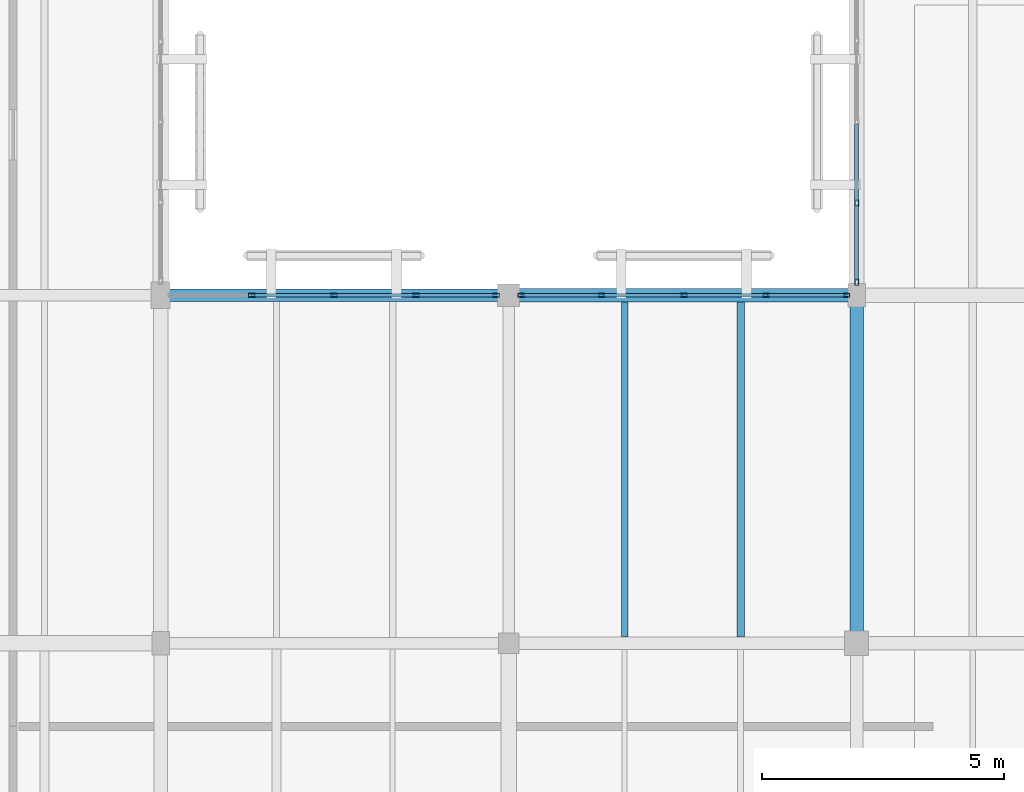
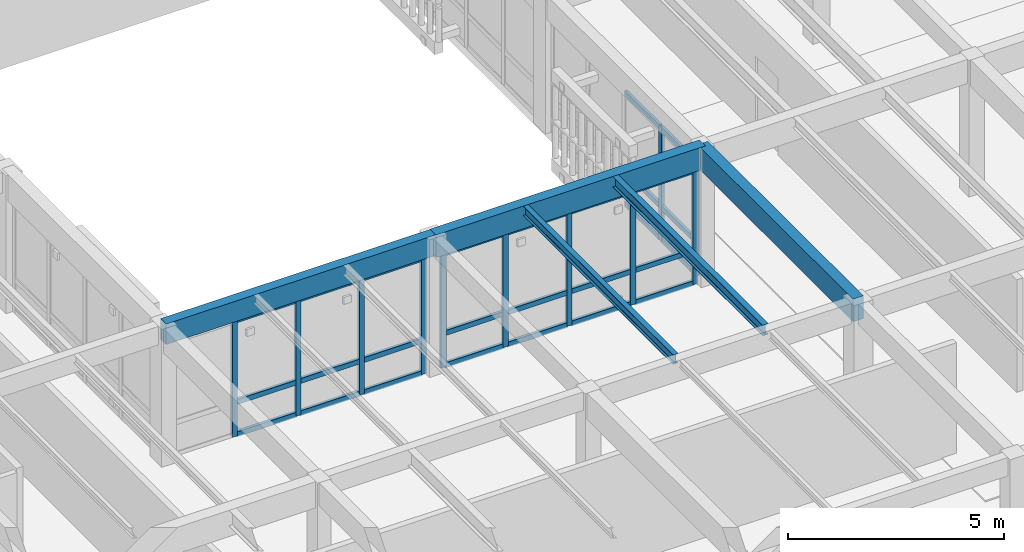
# One storey, part 27 of 217: 38 members, 5 beams, 3 elements without a shape of their own.
"""IFC4 building model written with IfcOpenShell, lengths in metres."""

from ifc_helpers import new_model, si_unit, direction, frame, origin, origin_2d, place, context, subcontext, project, spatial, rectangle, hollow_rectangle, i_section, extrude, material, layer, layer_set, material_profile, profile_set, type_object, element, aggregate, save


model = new_model("IFC4")

# Units and contexts
model_context = context("Model", 3, precision=1e-05, world=origin(), true_north=direction((0.0, 1.0)))
body_context = subcontext(model_context, "Body", "Model", "MODEL_VIEW")
ifc_project = project(units=[si_unit("LENGTHUNIT", "METRE"), si_unit("AREAUNIT", "SQUARE_METRE"), si_unit("VOLUMEUNIT", "CUBIC_METRE"), si_unit("PLANEANGLEUNIT", "RADIAN"), si_unit("MASSUNIT", "GRAM", prefix="KILO")], contexts=[model_context])

# Site, building, storey
site_placement = place(None, origin())
site = spatial("IfcSite", under=ifc_project, at=site_placement, CompositionType="ELEMENT")
building_placement = place(site_placement, origin())
building = spatial("IfcBuilding", under=site, at=building_placement, Name="Mazaris Harbour Polytechnic", CompositionType="ELEMENT")
storey_placement = place(building_placement, frame((0.0, 0.0, 9.60009765625)))
storey = spatial("IfcBuildingStorey", under=building, at=storey_placement, Name="L02", CompositionType="ELEMENT", Elevation=9.60009765625)

# Curtain wall, members
ifc_material_1 = material(Name="Anodised Bronze Aluminium and Low-E Glass", Category="aluminium")
ifc_layer = layer(ifc_material_1, 0.159912109375, Name="Anodised Bronze Aluminium and Low-E Glass")
ifc_layer_set = layer_set([ifc_layer], Name="Anodised Bronze Aluminium and Low-E Glass")
curtain_wall_type = type_object("IfcCurtainWallType", Name="Cloister Court Curtain Wall", PredefinedType="NOTDEFINED", material=ifc_layer_set)
curtain_wall_1_placement = place(storey_placement, origin())
curtain_wall_1 = element("IfcCurtainWall", 1, at=curtain_wall_1_placement, inside=storey, type_object=curtain_wall_type, Name="V4 L02 Curtain Wall 133", PredefinedType="NOTDEFINED")
ifc_material_2 = material(Name="Anodised Bronze Steel S355", Category="steel")
ifc_material_profile_1 = material_profile(ifc_material_2, hollow_rectangle(XDim=0.080078125, YDim=0.139892578125, WallThickness=0.00634765625, at=origin_2d()), Name="RHS 80x140x6.3")
ifc_profile_set_1 = profile_set([ifc_material_profile_1], Name="Anodised Bronze Steel S355")
member_type_1 = type_object("IfcMemberType", Name="Curtain Mullion RHS80x140", PredefinedType="MULLION", material=ifc_profile_set_1)
member_1_placement = place(storey_placement, frame((16.28857421875, 36.0, 0.0), z_axis=(0.0, 0.0, 1.0), x_axis=(0.0, 1.0, 0.0)))
member_1 = element("IfcMember", 2, at=member_1_placement, type_object=member_type_1, Name="CW-02 mullion 2", PredefinedType="MULLION", context=body_context, shape_type="SweptSolid", body=[
    extrude(hollow_rectangle(XDim=0.080078125, YDim=0.139892578125, WallThickness=0.00634765625, at=origin_2d()), origin(), (0.0, 0.0, 1.0), 3.2998046875),
])
member_2_placement = place(storey_placement, frame((17.985107421875, 36.0, 0.0), z_axis=(0.0, 0.0, 1.0), x_axis=(0.0, 1.0, 0.0)))
member_2 = element("IfcMember", 3, at=member_2_placement, type_object=member_type_1, Name="CW-02 mullion 3", PredefinedType="MULLION", context=body_context, shape_type="SweptSolid", body=[
    extrude(hollow_rectangle(XDim=0.080078125, YDim=0.139892578125, WallThickness=0.00634765625, at=origin_2d()), origin(), (0.0, 0.0, 1.0), 3.2998046875),
])
member_3_placement = place(storey_placement, frame((19.681396484375, 36.0, 0.0), z_axis=(0.0, 0.0, 1.0), x_axis=(0.0, 1.0, 0.0)))
member_3 = element("IfcMember", 4, at=member_3_placement, type_object=member_type_1, Name="CW-02 mullion 4", PredefinedType="MULLION", context=body_context, shape_type="SweptSolid", body=[
    extrude(hollow_rectangle(XDim=0.080078125, YDim=0.139892578125, WallThickness=0.00634765625, at=origin_2d()), origin(), (0.0, 0.0, 1.0), 3.2998046875),
])
member_4_placement = place(storey_placement, frame((21.337890625, 36.0, 0.0), z_axis=(0.0, 0.0, 1.0), x_axis=(0.0, 1.0, 0.0)))
member_4 = element("IfcMember", 5, at=member_4_placement, type_object=member_type_1, Name="CW-02 mullion 5", PredefinedType="MULLION", context=body_context, shape_type="SweptSolid", body=[
    extrude(hollow_rectangle(XDim=0.080078125, YDim=0.139892578125, WallThickness=0.00634765625, at=origin_2d()), origin(), (0.0, 0.0, 1.0), 3.2998046875),
])

curtain_wall_2_placement = place(storey_placement, origin())
curtain_wall_2 = element("IfcCurtainWall", 6, at=curtain_wall_2_placement, inside=storey, type_object=curtain_wall_type, Name="V4 L02 Curtain Wall 134", PredefinedType="NOTDEFINED")
member_5_placement = place(storey_placement, frame((21.862060546875, 36.0, 0.0), z_axis=(0.0, 0.0, 1.0), x_axis=(0.0, 1.0, 0.0)))
member_5 = element("IfcMember", 7, at=member_5_placement, type_object=member_type_1, Name="CW-02 mullion 1", PredefinedType="MULLION", context=body_context, shape_type="SweptSolid", body=[
    extrude(hollow_rectangle(XDim=0.080078125, YDim=0.139892578125, WallThickness=0.00634765625, at=origin_2d()), origin(), (0.0, 0.0, 1.0), 3.239990234375),
])
member_6_placement = place(storey_placement, frame((23.5234375, 36.0, 0.0), z_axis=(0.0, 0.0, 1.0), x_axis=(0.0, 1.0, 0.0)))
member_6 = element("IfcMember", 8, at=member_6_placement, type_object=member_type_1, Name="CW-02 mullion 2", PredefinedType="MULLION", context=body_context, shape_type="SweptSolid", body=[
    extrude(hollow_rectangle(XDim=0.080078125, YDim=0.139892578125, WallThickness=0.00634765625, at=origin_2d()), origin(), (0.0, 0.0, 1.0), 3.239990234375),
])
member_7_placement = place(storey_placement, frame((25.22509765625, 36.0, 0.0), z_axis=(0.0, 0.0, 1.0), x_axis=(0.0, 1.0, 0.0)))
member_7 = element("IfcMember", 9, at=member_7_placement, type_object=member_type_1, Name="CW-02 mullion 3", PredefinedType="MULLION", context=body_context, shape_type="SweptSolid", body=[
    extrude(hollow_rectangle(XDim=0.080078125, YDim=0.139892578125, WallThickness=0.00634765625, at=origin_2d()), origin(), (0.0, 0.0, 1.0), 3.239990234375),
])
member_8_placement = place(storey_placement, frame((26.926513671875, 36.0, 0.0), z_axis=(0.0, 0.0, 1.0), x_axis=(0.0, 1.0, 0.0)))
member_8 = element("IfcMember", 10, at=member_8_placement, type_object=member_type_1, Name="CW-02 mullion 4", PredefinedType="MULLION", context=body_context, shape_type="SweptSolid", body=[
    extrude(hollow_rectangle(XDim=0.080078125, YDim=0.139892578125, WallThickness=0.00634765625, at=origin_2d()), origin(), (0.0, 0.0, 1.0), 3.239990234375),
])
member_9_placement = place(storey_placement, frame((28.587890625, 36.0, 0.0), z_axis=(0.0, 0.0, 1.0), x_axis=(0.0, 1.0, 0.0)))
member_9 = element("IfcMember", 11, at=member_9_placement, type_object=member_type_1, Name="CW-02 mullion 5", PredefinedType="MULLION", context=body_context, shape_type="SweptSolid", body=[
    extrude(hollow_rectangle(XDim=0.080078125, YDim=0.139892578125, WallThickness=0.00634765625, at=origin_2d()), origin(), (0.0, 0.0, 1.0), 3.239990234375),
])

curtain_wall_3_placement = place(storey_placement, origin())
curtain_wall_3 = element("IfcCurtainWall", 12, at=curtain_wall_3_placement, inside=storey, type_object=curtain_wall_type, Name="V4 L02 Curtain Wall 141", PredefinedType="NOTDEFINED")
member_10_placement = place(storey_placement, frame((28.800048828125, 37.908447265625, 0.0), z_axis=(0.0, 0.0, 1.0), x_axis=(1.0, 0.0, 0.0)))
member_10 = element("IfcMember", 13, at=member_10_placement, type_object=member_type_1, Name="CW-02 mullion 4", PredefinedType="MULLION", context=body_context, shape_type="SweptSolid", body=[
    extrude(hollow_rectangle(XDim=0.080078125, YDim=0.139892578125, WallThickness=0.00634765625, at=origin_2d()), origin(), (0.0, 0.0, 1.0), 3.199951171875),
])
member_11_placement = place(storey_placement, frame((28.800048828125, 36.27197265625, 0.0), z_axis=(0.0, 0.0, 1.0), x_axis=(1.0, 0.0, 0.0)))
member_11 = element("IfcMember", 14, at=member_11_placement, type_object=member_type_1, Name="CW-02 mullion 5", PredefinedType="MULLION", context=body_context, shape_type="SweptSolid", body=[
    extrude(hollow_rectangle(XDim=0.080078125, YDim=0.139892578125, WallThickness=0.00634765625, at=origin_2d()), origin(), (0.0, 0.0, 1.0), 3.199951171875),
])

# Member
ifc_material_3 = material(Name="Anodised Bronze Steel S355", Category="steel")
ifc_material_profile_2 = material_profile(ifc_material_3, hollow_rectangle(XDim=0.080078125, YDim=0.139892578125, WallThickness=0.00634765625, at=origin_2d()), Name="RHS 80x140x6.3")
ifc_profile_set_2 = profile_set([ifc_material_profile_2], Name="Anodised Bronze Steel S355")
member_type_2 = type_object("IfcMemberType", Name="Curtain Transom RHS80x140", PredefinedType="USERDEFINED", material=ifc_profile_set_2)
member_12_placement = place(storey_placement, frame((16.32861328125, 36.0, 0.039794921875), z_axis=(1.0, 0.0, 0.0), x_axis=(0.0, 1.0, 0.0)))
member_12 = element("IfcMember", 15, at=member_12_placement, type_object=member_type_2, Name="CW-02 transom 2.1", ObjectType="TRANSOM", PredefinedType="USERDEFINED", context=body_context, shape_type="SweptSolid", body=[
    extrude(hollow_rectangle(XDim=0.080078125, YDim=0.139892578125, WallThickness=0.00634765625, at=origin_2d()), origin(), (0.0, 0.0, 1.0), 1.616455078125),
])

member_13_placement = place(storey_placement, frame((16.32861328125, 36.0, 0.949951171875), z_axis=(1.0, 0.0, 0.0), x_axis=(0.0, 1.0, 0.0)))
member_13 = element("IfcMember", 16, at=member_13_placement, type_object=member_type_2, Name="CW-02 transom 2.2", ObjectType="TRANSOM", PredefinedType="USERDEFINED", context=body_context, shape_type="SweptSolid", body=[
    extrude(hollow_rectangle(XDim=0.080078125, YDim=0.139892578125, WallThickness=0.00634765625, at=origin_2d()), origin(), (0.0, 0.0, 1.0), 1.616455078125),
])

member_14_placement = place(storey_placement, frame((16.32861328125, 36.0, 3.260009765625), z_axis=(1.0, 0.0, 0.0), x_axis=(0.0, 1.0, 0.0)))
member_14 = element("IfcMember", 17, at=member_14_placement, type_object=member_type_2, Name="CW-02 transom 2.3", ObjectType="TRANSOM", PredefinedType="USERDEFINED", context=body_context, shape_type="SweptSolid", body=[
    extrude(hollow_rectangle(XDim=0.080078125, YDim=0.139892578125, WallThickness=0.00634765625, at=origin_2d()), origin(), (0.0, 0.0, 1.0), 1.616455078125),
])

member_15_placement = place(storey_placement, frame((18.02490234375, 36.0, 0.039794921875), z_axis=(1.0, 0.0, 0.0), x_axis=(0.0, 1.0, 0.0)))
member_15 = element("IfcMember", 18, at=member_15_placement, type_object=member_type_2, Name="CW-02 transom 3.1", ObjectType="TRANSOM", PredefinedType="USERDEFINED", context=body_context, shape_type="SweptSolid", body=[
    extrude(hollow_rectangle(XDim=0.080078125, YDim=0.139892578125, WallThickness=0.00634765625, at=origin_2d()), origin(), (0.0, 0.0, 1.0), 1.61669921875),
])

member_16_placement = place(storey_placement, frame((18.02490234375, 36.0, 0.949951171875), z_axis=(1.0, 0.0, 0.0), x_axis=(0.0, 1.0, 0.0)))
member_16 = element("IfcMember", 19, at=member_16_placement, type_object=member_type_2, Name="CW-02 transom 3.2", ObjectType="TRANSOM", PredefinedType="USERDEFINED", context=body_context, shape_type="SweptSolid", body=[
    extrude(hollow_rectangle(XDim=0.080078125, YDim=0.139892578125, WallThickness=0.00634765625, at=origin_2d()), origin(), (0.0, 0.0, 1.0), 1.61669921875),
])

member_17_placement = place(storey_placement, frame((18.02490234375, 36.0, 3.260009765625), z_axis=(1.0, 0.0, 0.0), x_axis=(0.0, 1.0, 0.0)))
member_17 = element("IfcMember", 20, at=member_17_placement, type_object=member_type_2, Name="CW-02 transom 3.3", ObjectType="TRANSOM", PredefinedType="USERDEFINED", context=body_context, shape_type="SweptSolid", body=[
    extrude(hollow_rectangle(XDim=0.080078125, YDim=0.139892578125, WallThickness=0.00634765625, at=origin_2d()), origin(), (0.0, 0.0, 1.0), 1.61669921875),
])

member_18_placement = place(storey_placement, frame((19.721435546875, 36.0, 0.039794921875), z_axis=(1.0, 0.0, 0.0), x_axis=(0.0, 1.0, 0.0)))
member_18 = element("IfcMember", 21, at=member_18_placement, type_object=member_type_2, Name="CW-02 transom 4.1", ObjectType="TRANSOM", PredefinedType="USERDEFINED", context=body_context, shape_type="SweptSolid", body=[
    extrude(hollow_rectangle(XDim=0.080078125, YDim=0.139892578125, WallThickness=0.00634765625, at=origin_2d()), origin(), (0.0, 0.0, 1.0), 1.57666015625),
])

member_19_placement = place(storey_placement, frame((19.721435546875, 36.0, 0.949951171875), z_axis=(1.0, 0.0, 0.0), x_axis=(0.0, 1.0, 0.0)))
member_19 = element("IfcMember", 22, at=member_19_placement, type_object=member_type_2, Name="CW-02 transom 4.2", ObjectType="TRANSOM", PredefinedType="USERDEFINED", context=body_context, shape_type="SweptSolid", body=[
    extrude(hollow_rectangle(XDim=0.080078125, YDim=0.139892578125, WallThickness=0.00634765625, at=origin_2d()), origin(), (0.0, 0.0, 1.0), 1.57666015625),
])

member_20_placement = place(storey_placement, frame((19.721435546875, 36.0, 3.260009765625), z_axis=(1.0, 0.0, 0.0), x_axis=(0.0, 1.0, 0.0)))
member_20 = element("IfcMember", 23, at=member_20_placement, type_object=member_type_2, Name="CW-02 transom 4.3", ObjectType="TRANSOM", PredefinedType="USERDEFINED", context=body_context, shape_type="SweptSolid", body=[
    extrude(hollow_rectangle(XDim=0.080078125, YDim=0.139892578125, WallThickness=0.00634765625, at=origin_2d()), origin(), (0.0, 0.0, 1.0), 1.57666015625),
])

aggregate(curtain_wall_1, [member_1, member_2, member_3, member_4, member_12, member_13, member_14, member_15, member_16, member_17, member_18, member_19, member_20])

member_21_placement = place(storey_placement, frame((21.902099609375, 36.0, 0.039794921875), z_axis=(1.0, 0.0, 0.0), x_axis=(0.0, 1.0, 0.0)))
member_21 = element("IfcMember", 24, at=member_21_placement, type_object=member_type_2, Name="CW-02 transom 1.1", ObjectType="TRANSOM", PredefinedType="USERDEFINED", context=body_context, shape_type="SweptSolid", body=[
    extrude(hollow_rectangle(XDim=0.080078125, YDim=0.139892578125, WallThickness=0.00634765625, at=origin_2d()), origin(), (0.0, 0.0, 1.0), 1.581298828125),
])

member_22_placement = place(storey_placement, frame((21.902099609375, 36.0, 0.949951171875), z_axis=(1.0, 0.0, 0.0), x_axis=(0.0, 1.0, 0.0)))
member_22 = element("IfcMember", 25, at=member_22_placement, type_object=member_type_2, Name="CW-02 transom 1.2", ObjectType="TRANSOM", PredefinedType="USERDEFINED", context=body_context, shape_type="SweptSolid", body=[
    extrude(hollow_rectangle(XDim=0.080078125, YDim=0.139892578125, WallThickness=0.00634765625, at=origin_2d()), origin(), (0.0, 0.0, 1.0), 1.581298828125),
])

member_23_placement = place(storey_placement, frame((21.902099609375, 36.0, 3.199951171875), z_axis=(1.0, 0.0, 0.0), x_axis=(0.0, 1.0, 0.0)))
member_23 = element("IfcMember", 26, at=member_23_placement, type_object=member_type_2, Name="CW-02 transom 1.3", ObjectType="TRANSOM", PredefinedType="USERDEFINED", context=body_context, shape_type="SweptSolid", body=[
    extrude(hollow_rectangle(XDim=0.080078125, YDim=0.139892578125, WallThickness=0.00634765625, at=origin_2d()), origin(), (0.0, 0.0, 1.0), 1.581298828125),
])

member_24_placement = place(storey_placement, frame((23.5634765625, 36.0, 0.039794921875), z_axis=(1.0, 0.0, 0.0), x_axis=(0.0, 1.0, 0.0)))
member_24 = element("IfcMember", 27, at=member_24_placement, type_object=member_type_2, Name="CW-02 transom 2.1", ObjectType="TRANSOM", PredefinedType="USERDEFINED", context=body_context, shape_type="SweptSolid", body=[
    extrude(hollow_rectangle(XDim=0.080078125, YDim=0.139892578125, WallThickness=0.00634765625, at=origin_2d()), origin(), (0.0, 0.0, 1.0), 1.62158203125),
])

member_25_placement = place(storey_placement, frame((23.5634765625, 36.0, 0.949951171875), z_axis=(1.0, 0.0, 0.0), x_axis=(0.0, 1.0, 0.0)))
member_25 = element("IfcMember", 28, at=member_25_placement, type_object=member_type_2, Name="CW-02 transom 2.2", ObjectType="TRANSOM", PredefinedType="USERDEFINED", context=body_context, shape_type="SweptSolid", body=[
    extrude(hollow_rectangle(XDim=0.080078125, YDim=0.139892578125, WallThickness=0.00634765625, at=origin_2d()), origin(), (0.0, 0.0, 1.0), 1.62158203125),
])

member_26_placement = place(storey_placement, frame((23.5634765625, 36.0, 3.199951171875), z_axis=(1.0, 0.0, 0.0), x_axis=(0.0, 1.0, 0.0)))
member_26 = element("IfcMember", 29, at=member_26_placement, type_object=member_type_2, Name="CW-02 transom 2.3", ObjectType="TRANSOM", PredefinedType="USERDEFINED", context=body_context, shape_type="SweptSolid", body=[
    extrude(hollow_rectangle(XDim=0.080078125, YDim=0.139892578125, WallThickness=0.00634765625, at=origin_2d()), origin(), (0.0, 0.0, 1.0), 1.62158203125),
])

member_27_placement = place(storey_placement, frame((25.264892578125, 36.0, 0.039794921875), z_axis=(1.0, 0.0, 0.0), x_axis=(0.0, 1.0, 0.0)))
member_27 = element("IfcMember", 30, at=member_27_placement, type_object=member_type_2, Name="CW-02 transom 3.1", ObjectType="TRANSOM", PredefinedType="USERDEFINED", context=body_context, shape_type="SweptSolid", body=[
    extrude(hollow_rectangle(XDim=0.080078125, YDim=0.139892578125, WallThickness=0.00634765625, at=origin_2d()), origin(), (0.0, 0.0, 1.0), 1.62158203125),
])

member_28_placement = place(storey_placement, frame((25.264892578125, 36.0, 0.949951171875), z_axis=(1.0, 0.0, 0.0), x_axis=(0.0, 1.0, 0.0)))
member_28 = element("IfcMember", 31, at=member_28_placement, type_object=member_type_2, Name="CW-02 transom 3.2", ObjectType="TRANSOM", PredefinedType="USERDEFINED", context=body_context, shape_type="SweptSolid", body=[
    extrude(hollow_rectangle(XDim=0.080078125, YDim=0.139892578125, WallThickness=0.00634765625, at=origin_2d()), origin(), (0.0, 0.0, 1.0), 1.62158203125),
])

member_29_placement = place(storey_placement, frame((25.264892578125, 36.0, 3.199951171875), z_axis=(1.0, 0.0, 0.0), x_axis=(0.0, 1.0, 0.0)))
member_29 = element("IfcMember", 32, at=member_29_placement, type_object=member_type_2, Name="CW-02 transom 3.3", ObjectType="TRANSOM", PredefinedType="USERDEFINED", context=body_context, shape_type="SweptSolid", body=[
    extrude(hollow_rectangle(XDim=0.080078125, YDim=0.139892578125, WallThickness=0.00634765625, at=origin_2d()), origin(), (0.0, 0.0, 1.0), 1.62158203125),
])

member_30_placement = place(storey_placement, frame((26.966552734375, 36.0, 0.039794921875), z_axis=(1.0, 0.0, 0.0), x_axis=(0.0, 1.0, 0.0)))
member_30 = element("IfcMember", 33, at=member_30_placement, type_object=member_type_2, Name="CW-02 transom 4.1", ObjectType="TRANSOM", PredefinedType="USERDEFINED", context=body_context, shape_type="SweptSolid", body=[
    extrude(hollow_rectangle(XDim=0.080078125, YDim=0.139892578125, WallThickness=0.00634765625, at=origin_2d()), origin(), (0.0, 0.0, 1.0), 1.58154296875),
])

member_31_placement = place(storey_placement, frame((26.966552734375, 36.0, 0.949951171875), z_axis=(1.0, 0.0, 0.0), x_axis=(0.0, 1.0, 0.0)))
member_31 = element("IfcMember", 34, at=member_31_placement, type_object=member_type_2, Name="CW-02 transom 4.2", ObjectType="TRANSOM", PredefinedType="USERDEFINED", context=body_context, shape_type="SweptSolid", body=[
    extrude(hollow_rectangle(XDim=0.080078125, YDim=0.139892578125, WallThickness=0.00634765625, at=origin_2d()), origin(), (0.0, 0.0, 1.0), 1.58154296875),
])

member_32_placement = place(storey_placement, frame((26.966552734375, 36.0, 3.199951171875), z_axis=(1.0, 0.0, 0.0), x_axis=(0.0, 1.0, 0.0)))
member_32 = element("IfcMember", 35, at=member_32_placement, type_object=member_type_2, Name="CW-02 transom 4.3", ObjectType="TRANSOM", PredefinedType="USERDEFINED", context=body_context, shape_type="SweptSolid", body=[
    extrude(hollow_rectangle(XDim=0.080078125, YDim=0.139892578125, WallThickness=0.00634765625, at=origin_2d()), origin(), (0.0, 0.0, 1.0), 1.58154296875),
])

aggregate(curtain_wall_2, [member_5, member_6, member_7, member_8, member_9, member_21, member_22, member_23, member_24, member_25, member_26, member_27, member_28, member_29, member_30, member_31, member_32])

member_33_placement = place(storey_placement, frame((28.800048828125, 39.544921875, 0.039794921875), z_axis=(0.0, -1.0, 0.0), x_axis=(1.0, 0.0, 0.0)))
member_33 = element("IfcMember", 36, at=member_33_placement, type_object=member_type_2, Name="CW-02 transom 3.1", ObjectType="TRANSOM", PredefinedType="USERDEFINED", context=body_context, shape_type="SweptSolid", body=[
    extrude(hollow_rectangle(XDim=0.080078125, YDim=0.139892578125, WallThickness=0.00634765625, at=origin_2d()), origin(), (0.0, 0.0, 1.0), 1.596435546875),
])

member_34_placement = place(storey_placement, frame((28.800048828125, 39.544921875, 0.949951171875), z_axis=(0.0, -1.0, 0.0), x_axis=(1.0, 0.0, 0.0)))
member_34 = element("IfcMember", 37, at=member_34_placement, type_object=member_type_2, Name="CW-02 transom 3.2", ObjectType="TRANSOM", PredefinedType="USERDEFINED", context=body_context, shape_type="SweptSolid", body=[
    extrude(hollow_rectangle(XDim=0.080078125, YDim=0.139892578125, WallThickness=0.00634765625, at=origin_2d()), origin(), (0.0, 0.0, 1.0), 1.596435546875),
])

member_35_placement = place(storey_placement, frame((28.800048828125, 39.544921875, 3.159912109375), z_axis=(0.0, -1.0, 0.0), x_axis=(1.0, 0.0, 0.0)))
member_35 = element("IfcMember", 38, at=member_35_placement, type_object=member_type_2, Name="CW-02 transom 3.3", ObjectType="TRANSOM", PredefinedType="USERDEFINED", context=body_context, shape_type="SweptSolid", body=[
    extrude(hollow_rectangle(XDim=0.080078125, YDim=0.139892578125, WallThickness=0.00634765625, at=origin_2d()), origin(), (0.0, 0.0, 1.0), 1.596435546875),
])

member_36_placement = place(storey_placement, frame((28.800048828125, 37.868408203125, 0.039794921875), z_axis=(0.0, -1.0, 0.0), x_axis=(1.0, 0.0, 0.0)))
member_36 = element("IfcMember", 39, at=member_36_placement, type_object=member_type_2, Name="CW-02 transom 4.1", ObjectType="TRANSOM", PredefinedType="USERDEFINED", context=body_context, shape_type="SweptSolid", body=[
    extrude(hollow_rectangle(XDim=0.080078125, YDim=0.139892578125, WallThickness=0.00634765625, at=origin_2d()), origin(), (0.0, 0.0, 1.0), 1.556396484375),
])

member_37_placement = place(storey_placement, frame((28.800048828125, 37.868408203125, 0.949951171875), z_axis=(0.0, -1.0, 0.0), x_axis=(1.0, 0.0, 0.0)))
member_37 = element("IfcMember", 40, at=member_37_placement, type_object=member_type_2, Name="CW-02 transom 4.2", ObjectType="TRANSOM", PredefinedType="USERDEFINED", context=body_context, shape_type="SweptSolid", body=[
    extrude(hollow_rectangle(XDim=0.080078125, YDim=0.139892578125, WallThickness=0.00634765625, at=origin_2d()), origin(), (0.0, 0.0, 1.0), 1.556396484375),
])

member_38_placement = place(storey_placement, frame((28.800048828125, 37.868408203125, 3.159912109375), z_axis=(0.0, -1.0, 0.0), x_axis=(1.0, 0.0, 0.0)))
member_38 = element("IfcMember", 41, at=member_38_placement, type_object=member_type_2, Name="CW-02 transom 4.3", ObjectType="TRANSOM", PredefinedType="USERDEFINED", context=body_context, shape_type="SweptSolid", body=[
    extrude(hollow_rectangle(XDim=0.080078125, YDim=0.139892578125, WallThickness=0.00634765625, at=origin_2d()), origin(), (0.0, 0.0, 1.0), 1.556396484375),
])

aggregate(curtain_wall_3, [member_10, member_11, member_33, member_34, member_35, member_36, member_37, member_38])

# Beams
ifc_material_4 = material(Name="Glulam GL32h", Category="wood")
ifc_material_profile_3 = material_profile(ifc_material_4, rectangle(XDim=0.260009765625, YDim=0.580078125, at=origin_2d()), Name="RECT260x580")
ifc_profile_set_3 = profile_set([ifc_material_profile_3], Name="Glulam GL32h")
beam_type_1 = type_object("IfcBeamType", Name="Glulam Girder 260x580", PredefinedType="BEAM", material=ifc_profile_set_3)
beam_1_placement = place(storey_placement, frame((14.39990234375, 36.0, 3.599853515625), z_axis=(1.0, 0.0, 0.0), x_axis=(0.0, 1.0, 0.0)))
element("IfcBeam", 42, at=beam_1_placement, inside=storey, type_object=beam_type_1, Name="V4 L02 Girder 1921", PredefinedType="BEAM", context=body_context, shape_type="SweptSolid", body=[
    extrude(rectangle(XDim=0.260009765625, YDim=0.580078125, at=origin_2d()), origin(), (0.0, 0.0, 1.0), 7.2001953125),
])
ifc_material_5 = material(Name="Glulam GL32h", Category="wood")
ifc_material_profile_4 = material_profile(ifc_material_5, rectangle(XDim=0.280029296875, YDim=0.639892578125, at=origin_2d()), Name="RECT280x640")
ifc_profile_set_4 = profile_set([ifc_material_profile_4], Name="Glulam GL32h")
beam_type_2 = type_object("IfcBeamType", Name="Glulam Girder 280x640", PredefinedType="BEAM", material=ifc_profile_set_4)
for number, where, z_axis, x_axis, name in (
    (43, (21.60009765625, 36.0, 3.56982421875), (1.0, 0.0, 0.0), (0.0, 1.0, 0.0), "V4 L02 Girder 1922"),
    (44, (28.800048828125, 28.800048828125, 3.56982421875), (0.0, 1.0, 0.0), (-1.0, 0.0, 0.0), "V4 L02 Tie Girder 2012"),
):
    element("IfcBeam", number, at=place(storey_placement, frame(where, z_axis=z_axis, x_axis=x_axis)), inside=storey, type_object=beam_type_2, Name=name, PredefinedType="BEAM", context=body_context, shape_type="SweptSolid", body=[
        extrude(rectangle(XDim=0.280029296875, YDim=0.639892578125, at=origin_2d()), origin(), (0.0, 0.0, 1.0), 7.199951171875),
    ])
ifc_material_6 = material(Name="Steel S355", Category="steel")
ifc_material_profile_5 = material_profile(ifc_material_6, i_section(OverallWidth=0.135009765625, OverallDepth=0.27001953125, WebThickness=0.006591796875, FlangeThickness=0.01025390625, FilletRadius=0.014892578125, at=origin_2d()), Name="IPE 270")
ifc_profile_set_5 = profile_set([ifc_material_profile_5], Name="Steel S355")
beam_type_3 = type_object("IfcBeamType", Name="Steel Joist IPE270", PredefinedType="JOIST", material=ifc_profile_set_5)
beam_2_placement = place(storey_placement, frame((24.0, 28.929931640625, 3.7548828125), z_axis=(0.0, 1.0, 0.0), x_axis=(-1.0, 0.0, 0.0)))
element("IfcBeam", 45, at=beam_2_placement, inside=storey, type_object=beam_type_3, Name="V4 L02 Floor Joist 2109", PredefinedType="JOIST", context=body_context, shape_type="SweptSolid", body=[
    extrude(i_section(OverallWidth=0.135009765625, OverallDepth=0.27001953125, WebThickness=0.006591796875, FlangeThickness=0.01025390625, FilletRadius=0.014892578125, at=origin_2d()), origin(), (0.0, 0.0, 1.0), 6.93017578125),
])
ifc_material_7 = material(Name="Steel S355", Category="steel")
ifc_material_profile_6 = material_profile(ifc_material_7, i_section(OverallWidth=0.14990234375, OverallDepth=0.300048828125, WebThickness=0.007080078125, FlangeThickness=0.0107421875, FilletRadius=0.014892578125, at=origin_2d()), Name="IPE 300")
ifc_profile_set_6 = profile_set([ifc_material_profile_6], Name="Steel S355")
beam_type_4 = type_object("IfcBeamType", Name="Steel Joist IPE300", PredefinedType="JOIST", material=ifc_profile_set_6)
beam_3_placement = place(storey_placement, frame((26.39990234375, 28.929931640625, 3.739990234375), z_axis=(0.0, 1.0, 0.0), x_axis=(-1.0, 0.0, 0.0)))
element("IfcBeam", 46, at=beam_3_placement, inside=storey, type_object=beam_type_4, Name="V4 L02 Floor Joist 2110", PredefinedType="JOIST", context=body_context, shape_type="SweptSolid", body=[
    extrude(i_section(OverallWidth=0.14990234375, OverallDepth=0.300048828125, WebThickness=0.007080078125, FlangeThickness=0.0107421875, FilletRadius=0.014892578125, at=origin_2d()), origin(), (0.0, 0.0, 1.0), 6.93017578125),
])

save(model, "model.ifc")
